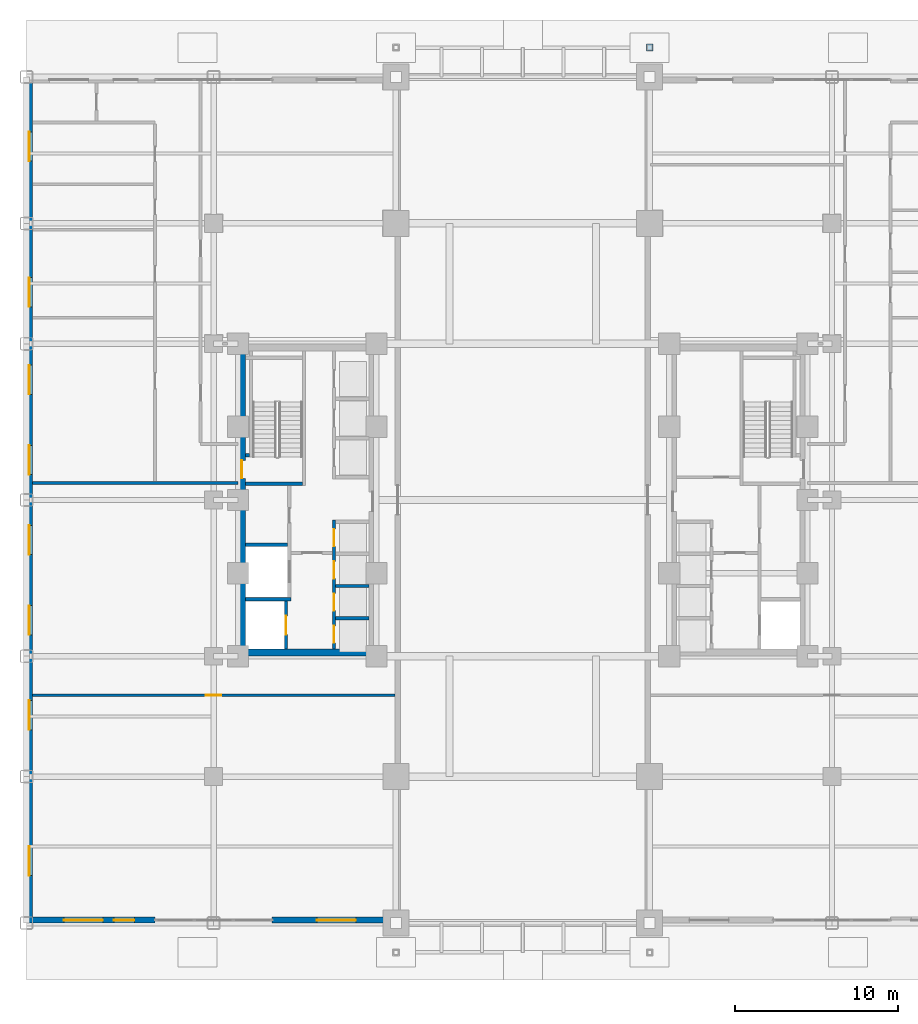
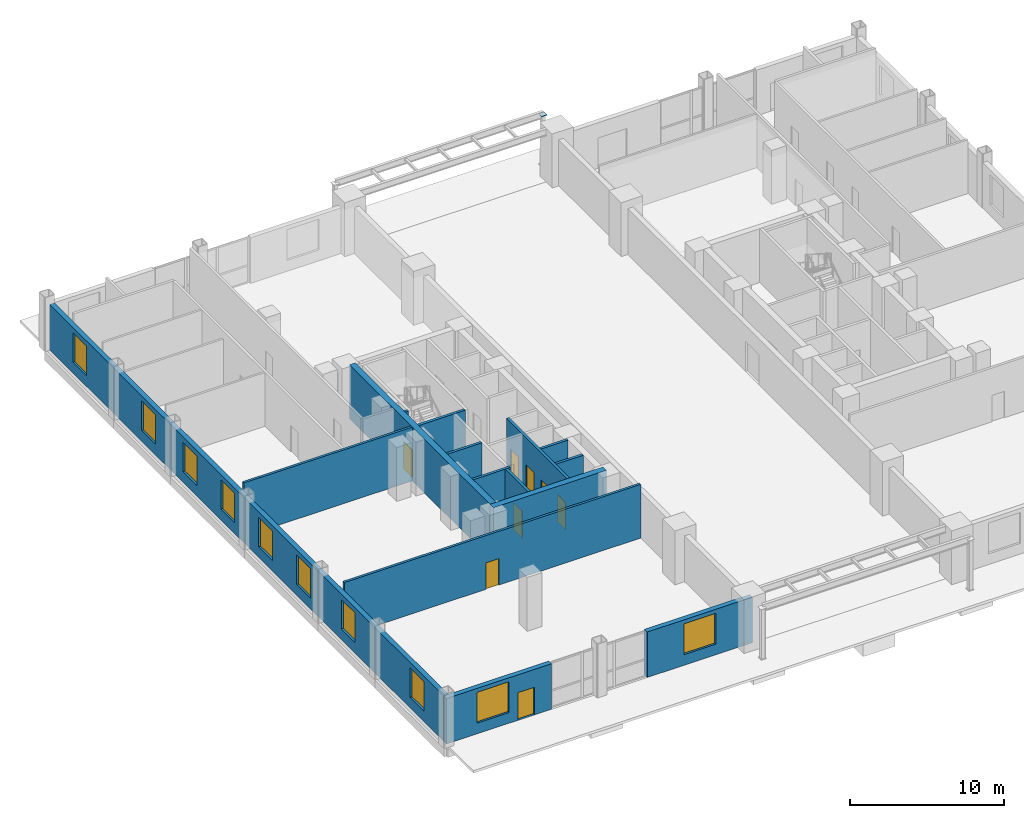
# One storey, part 8 of 20: 15 walls, 10 windows, 8 doors, 1 plate, 18 openings.
"""IFC4 building model written with IfcOpenShell, lengths in metres."""

import ifcopenshell
import ifcopenshell.guid

model = None  # the IFC model being written
_history = None  # IfcOwnerHistory: only IFC2X3 demands one
_inside = {}  # id of a spatial element -> (the spatial element, [elements in it])
_under = {}  # id of a project, library or spatial element -> (it, [spatial elements below it])
_declared = {}  # id of a project -> (the project, [libraries it declares])
_typed = {}  # id of a type object -> (the type object, [elements of that type])
_made_of = {}  # id of a material, layer set ... -> (it, [elements and type objects made of it])


def new_model(schema):
    """Start an empty IFC model of exactly this schema.

    Asked for "IFC4X3", IfcOpenShell would pick the latest addendum, in which some entities
    have other attributes; the version numbers below select the first issue.
    IFC2X3 requires an IfcOwnerHistory on every rooted entity: one is made here for all.
    """
    global model, _history
    if schema == "IFC4X3":
        model = ifcopenshell.file(schema_version=(4, 3, 0, 0))
    else:
        model = ifcopenshell.file(schema=schema)
    _inside.clear()
    _under.clear()
    _declared.clear()
    _typed.clear()
    _made_of.clear()
    _history = None
    if model.schema == "IFC2X3":
        org = make("IfcOrganization", Name="unknown")
        user = make(
            "IfcPersonAndOrganization",
            ThePerson=make("IfcPerson", FamilyName="unknown"),
            TheOrganization=org,
        )
        app = make(
            "IfcApplication",
            ApplicationDeveloper=org,
            Version="unknown",
            ApplicationFullName="unknown",
            ApplicationIdentifier="unknown",
        )
        _history = make(
            "IfcOwnerHistory",
            OwningUser=user,
            OwningApplication=app,
            ChangeAction="ADDED",
            CreationDate=0,
        )
    return model


def make(cls, **values):
    """One entity of the class cls with the attributes given. An attribute that is None is left unset."""
    return model.create_entity(
        cls, **{name: value for name, value in values.items() if value is not None}
    )


def rooted(cls, **values):
    """An entity with a GlobalId (a new one), such as an element, a storey or a relation."""
    return make(cls, GlobalId=ifcopenshell.guid.new(), OwnerHistory=_history, **values)


def si_unit(unit_type, name, prefix=None):
    """IfcSIUnit, for example si_unit("LENGTHUNIT", "METRE", prefix="MILLI")."""
    return make("IfcSIUnit", UnitType=unit_type, Prefix=prefix, Name=name)


def assignment(units):
    """IfcUnitAssignment: the units of a project."""
    return None if units is None else make("IfcUnitAssignment", Units=units)


def point(xyz):
    """IfcCartesianPoint."""
    return None if xyz is None else make("IfcCartesianPoint", Coordinates=xyz)


def direction(xyz):
    """IfcDirection."""
    return None if xyz is None else make("IfcDirection", DirectionRatios=xyz)


def frame(location, z_axis=None, x_axis=None):
    """IfcAxis2Placement3D, a coordinate frame: its origin and axes. An axis left out is left unset."""
    return make(
        "IfcAxis2Placement3D",
        Location=point(location),
        Axis=direction(z_axis),
        RefDirection=direction(x_axis),
    )


def frame_2d(location, x_axis=None):
    """IfcAxis2Placement2D, a coordinate frame in the plane: its origin and x axis."""
    return make(
        "IfcAxis2Placement2D", Location=point(location), RefDirection=direction(x_axis)
    )


def origin():
    """The frame at (0, 0, 0) with its axes left unset."""
    return frame((0.0, 0.0, 0.0))


def origin_2d():
    """The frame at (0, 0) in the plane with its x axis left unset."""
    return frame_2d((0.0, 0.0))


def place(relative_to, where):
    """IfcLocalPlacement: puts the frame where relative to a parent placement (None: the world)."""
    return make(
        "IfcLocalPlacement", PlacementRelTo=relative_to, RelativePlacement=where
    )


def context(
    kind, dimensions, precision=None, world=None, true_north=None, identifier=None
):
    """IfcGeometricRepresentationContext, for example the 3D "Model" context."""
    return make(
        "IfcGeometricRepresentationContext",
        ContextIdentifier=identifier,
        ContextType=kind,
        CoordinateSpaceDimension=dimensions,
        Precision=precision,
        WorldCoordinateSystem=world,
        TrueNorth=true_north,
    )


def subcontext(parent, identifier, kind, view, scale=None):
    """IfcGeometricRepresentationSubContext, for example "Body" below "Model"."""
    return make(
        "IfcGeometricRepresentationSubContext",
        ContextIdentifier=identifier,
        ContextType=kind,
        ParentContext=parent,
        TargetScale=scale,
        TargetView=view,
    )


def project(units=None, contexts=None):
    """IfcProject with its units and contexts."""
    return rooted(
        "IfcProject",
        Name="project",
        RepresentationContexts=contexts,
        UnitsInContext=assignment(units),
    )


def spatial(cls, under=None, at=None, **own):
    """A site, building, storey or space (cls), placed at a placement, below another one or the project."""
    s = rooted(cls, ObjectPlacement=at, **own)
    if under is not None:
        _under.setdefault(under.id(), (under, []))[1].append(s)
    return s


def profile(cls, at=None, kind="AREA", **sizes):
    """A parametric profile (cls). Its sizes go by their IFC names, for example OverallWidth=200.0."""
    return make(cls, ProfileType=kind, Position=at, **sizes)


def rectangle(**sizes):
    """IfcRectangleProfileDef."""
    return profile("IfcRectangleProfileDef", **sizes)


def extrude(swept, where, along, depth):
    """IfcExtrudedAreaSolid: the profile swept, set in the frame where, extruded along a direction by depth."""
    return make(
        "IfcExtrudedAreaSolid",
        SweptArea=swept,
        Position=where,
        ExtrudedDirection=direction(along),
        Depth=depth,
    )


def shape(context_of_items, identifier, shape_type, items):
    """IfcShapeRepresentation: the items that make up one representation, for example the "Body"."""
    return make(
        "IfcShapeRepresentation",
        ContextOfItems=context_of_items,
        RepresentationIdentifier=identifier,
        RepresentationType=shape_type,
        Items=items,
    )


def source(mapping_origin, context_of_items, identifier, shape_type, items):
    """IfcRepresentationMap: a shape defined once, which mapped items show again and again."""
    return make(
        "IfcRepresentationMap",
        MappingOrigin=mapping_origin,
        MappedRepresentation=shape(context_of_items, identifier, shape_type, items),
    )


def transform(
    local_origin,
    x_axis=None,
    y_axis=None,
    z_axis=None,
    scale=None,
    scale2=None,
    scale3=None,
    uniform=True,
):
    """IfcCartesianTransformationOperator3D, or its non-uniform kind. x_axis, y_axis, z_axis: its Axis1, 2, 3."""
    if uniform:
        return make(
            "IfcCartesianTransformationOperator3D",
            Axis1=direction(x_axis),
            Axis2=direction(y_axis),
            LocalOrigin=point(local_origin),
            Scale=scale,
            Axis3=direction(z_axis),
        )
    return make(
        "IfcCartesianTransformationOperator3DnonUniform",
        Axis1=direction(x_axis),
        Axis2=direction(y_axis),
        LocalOrigin=point(local_origin),
        Scale=scale,
        Axis3=direction(z_axis),
        Scale2=scale2,
        Scale3=scale3,
    )


def mapped(mapping_source, mapping_target):
    """IfcMappedItem: shows the shape of a source again, moved by a transform."""
    return make(
        "IfcMappedItem", MappingSource=mapping_source, MappingTarget=mapping_target
    )


def material(Name=None, Category=None):
    """IfcMaterial."""
    return make("IfcMaterial", Name=Name, Category=Category)


def layer(
    of_material, thickness, ventilated=None, Name=None, Category=None, Priority=None
):
    """IfcMaterialLayer: one layer of a wall or slab, of a material (None: an air gap)."""
    return make(
        "IfcMaterialLayer",
        Material=of_material,
        LayerThickness=thickness,
        IsVentilated=ventilated,
        Name=Name,
        Category=Category,
        Priority=Priority,
    )


def layer_set(layers, Name=None):
    """IfcMaterialLayerSet."""
    return make("IfcMaterialLayerSet", MaterialLayers=layers, LayerSetName=Name)


def made_of(thing, what):
    """Note that an element or type object is made of a material, layer set ...; save() writes the relation."""
    if what is not None:
        _made_of.setdefault(what.id(), (what, []))[1].append(thing)
    return thing


def type_object(cls, material=None, **own):
    """A type object (cls), such as IfcWallType, which elements share."""
    return made_of(rooted(cls, **own), material)


def type_shapes(of_type, sources):
    """Give a type object the sources (RepresentationMaps) that its elements show as mapped items."""
    of_type.RepresentationMaps = sources


def element(
    cls,
    number,
    at=None,
    inside=None,
    cuts=None,
    type_object=None,
    material=None,
    context=None,
    identifier="Body",
    shape_type=None,
    held_by="IfcProductDefinitionShape",
    body=None,
    shapes=None,
    **own,
):
    """One element of the class cls, such as IfcWall. Its Tag is "e" and its number.

    at: its placement. inside: the storey or other place that contains it. cuts: it is an
    opening in that element (IfcRelVoidsElement). A single representation is given by context,
    identifier, shape_type and body (its items); several are given by shapes. held_by: the class
    of the entity that holds the representations. save() writes the other relations.
    """
    e = rooted(cls, Tag="e%d" % number, ObjectPlacement=at, **own)
    if body is not None:
        shapes = [shape(context, identifier, shape_type, body)]
    if shapes is not None:
        e.Representation = make(held_by, Representations=shapes)
    if inside is not None:
        _inside.setdefault(inside.id(), (inside, []))[1].append(e)
    if cuts is not None:
        rooted(
            "IfcRelVoidsElement", RelatingBuildingElement=cuts, RelatedOpeningElement=e
        )
    if type_object is not None:
        _typed.setdefault(type_object.id(), (type_object, []))[1].append(e)
    return made_of(e, material)


def fill(opening, filler):
    """IfcRelFillsElement: the door or window that sits in an opening."""
    return rooted(
        "IfcRelFillsElement",
        RelatingOpeningElement=opening,
        RelatedBuildingElement=filler,
    )


def aggregate(whole, parts):
    """IfcRelAggregates: a whole, such as a stair, and the parts it consists of."""
    return rooted("IfcRelAggregates", RelatingObject=whole, RelatedObjects=parts)


def save(model, path):
    """Write the relations noted so far, then the file.

    IfcRelAggregates (storeys below a building ...), IfcRelContainedInSpatialStructure (elements
    in a storey), IfcRelDefinesByType, IfcRelAssociatesMaterial and IfcRelDeclares: one each for
    every whole, place, type object, material and project.
    """
    for whole, parts in _under.values():
        aggregate(whole, parts)
    for where, things in _inside.values():
        rooted(
            "IfcRelContainedInSpatialStructure",
            RelatedElements=things,
            RelatingStructure=where,
        )
    for kind, things in _typed.values():
        rooted("IfcRelDefinesByType", RelatedObjects=things, RelatingType=kind)
    for what, things in _made_of.values():
        rooted("IfcRelAssociatesMaterial", RelatedObjects=things, RelatingMaterial=what)
    for by, libraries in _declared.values():
        rooted("IfcRelDeclares", RelatingContext=by, RelatedDefinitions=libraries)
    model.write(path)


model = new_model("IFC4")

# Units and contexts
model_context = context("Model", 3, precision=1e-05, world=origin(), true_north=direction((0.0, 1.0)))
body_context = subcontext(model_context, "Body", "Model", "MODEL_VIEW")
ifc_project = project(units=[si_unit("LENGTHUNIT", "METRE"), si_unit("AREAUNIT", "SQUARE_METRE"), si_unit("VOLUMEUNIT", "CUBIC_METRE"), si_unit("PLANEANGLEUNIT", "RADIAN"), si_unit("MASSUNIT", "GRAM", prefix="KILO")], contexts=[model_context])

# Site, building, storey
site_placement = place(None, origin())
site = spatial("IfcSite", under=ifc_project, at=site_placement, CompositionType="ELEMENT")
building_placement = place(site_placement, origin())
building = spatial("IfcBuilding", under=site, at=building_placement, Name="Nuvemarco Arch Tower", CompositionType="ELEMENT")
storey_placement = place(building_placement, origin())
storey = spatial("IfcBuildingStorey", under=building, at=storey_placement, Name="L00", CompositionType="ELEMENT", Elevation=0.0)

# Plate
ifc_material_1 = material(Name="Steel S355", Category="steel")
ifc_layer_1 = layer(ifc_material_1, 0.030029296875, Name="PL-CAP-400-EXT")
ifc_layer_set_1 = layer_set([ifc_layer_1], Name="Steel S355")
plate_type = type_object("IfcPlateType", Name="PL-CAP-400-EXT", PredefinedType="SHEET", material=ifc_layer_set_1)
shared_shape_1 = source(origin(), body_context, "Body", "SweptSolid", [
    extrude(rectangle(XDim=0.419921875, YDim=0.419921875, at=origin_2d()), origin(), (0.0, 0.0, 1.0), 0.030029296875),
])
type_shapes(plate_type, [shared_shape_1])
plate_placement = place(storey_placement, frame((7.800048828125, 27.800048828125, 3.98486328125), z_axis=(0.0, 0.0, 1.0), x_axis=(1.0, 0.0, 0.0)))
element("IfcPlate", 1, at=plate_placement, inside=storey, type_object=plate_type, Name="Hollow steel end-cap plate COL_CNP_N_E_TOP", PredefinedType="SHEET", context=body_context, shape_type="MappedRepresentation", body=[
    mapped(shared_shape_1, transform((0.0, 0.0, 0.0), scale=1.0)),
])

# Wall, openings, door, window
ifc_material_2 = material(Name="Precast concrete C45/55", Category="concrete")
ifc_layer_2 = layer(ifc_material_2, 0.360107421875, Name="EW-POD-360")
ifc_layer_set_2 = layer_set([ifc_layer_2], Name="Precast concrete C45/55")
wall_type_1 = type_object("IfcWallType", Name="EW-POD-360", PredefinedType="STANDARD", material=ifc_layer_set_2)
wall_1_placement = place(storey_placement, frame((-30.5, -25.820068359375, 0.0), z_axis=(0.0, 0.0, 1.0), x_axis=(1.0, 0.0, 0.0)))
wall_1 = element("IfcWall", 2, at=wall_1_placement, inside=storey, type_object=wall_type_1, Name="L00 exterior precast pier wall south left", PredefinedType="STANDARD", context=body_context, shape_type="SweptSolid", body=[
    extrude(rectangle(XDim=7.89990234375, YDim=0.360107421875, at=frame_2d((3.949951171875, 0.0))), origin(), (0.0, 0.0, 1.0), 3.614990234375),
])
opening_1_placement = place(wall_1_placement, frame((6.625, 0.0, 0.0), z_axis=(0.0, 0.0, 1.0), x_axis=(-1.0, 0.0, 0.0)))
opening_1 = element("IfcOpeningElement", 3, at=opening_1_placement, cuts=wall_1, Name="Opening ED-3", PredefinedType="OPENING", context=body_context, shape_type="SweptSolid", body=[
    extrude(rectangle(XDim=1.25, YDim=2.199951171875, at=frame_2d((0.625, 1.10009765625))), frame((0.0, 0.18994140625, 0.0), z_axis=(0.0, -1.0, 0.0), x_axis=(1.0, 0.0, 0.0)), (0.0, 0.0, 1.0), 0.380126953125),
])
opening_2_placement = place(wall_1_placement, frame((2.300048828125, 0.0, 0.85009765625)))
opening_2 = element("IfcOpeningElement", 4, at=opening_2_placement, cuts=wall_1, Name="Opening WN-1", PredefinedType="OPENING", context=body_context, shape_type="SweptSolid", body=[
    extrude(rectangle(XDim=2.39990234375, YDim=2.449951171875, at=frame_2d((1.199951171875, 1.22509765625))), frame((0.0, 0.18994140625, 0.0), z_axis=(0.0, -1.0, 0.0), x_axis=(1.0, 0.0, 0.0)), (0.0, 0.0, 1.0), 0.380126953125),
])
ifc_material_3 = material(Name="Anodised bronze and laminated glass", Category="glass")
door_type_1 = type_object("IfcDoorType", Name="DR-EXT-RETAIL", OperationType="NOTDEFINED", PredefinedType="DOOR", material=ifc_material_3)
shared_shape_2 = source(origin(), body_context, "Body", "SweptSolid", [
    extrude(rectangle(XDim=1.25, YDim=2.199951171875, at=frame_2d((0.625, 1.10009765625))), frame((0.0, 0.02490234375, 0.0), z_axis=(0.0, -1.0, 0.0), x_axis=(1.0, 0.0, 0.0)), (0.0, 0.0, 1.0), 0.050048828125),
])
type_shapes(door_type_1, [shared_shape_2])
door_1_placement = place(opening_1_placement, origin())
door_1 = element("IfcDoor", 5, at=door_1_placement, inside=storey, type_object=door_type_1, Name="Ground plaza retail entrance door 1", OperationType="SINGLE_SWING_LEFT", OverallHeight=2.199951171875, OverallWidth=1.25, PredefinedType="DOOR", context=body_context, shape_type="MappedRepresentation", body=[
    mapped(shared_shape_2, transform((0.0, 0.0, 0.0), scale=1.0)),
])
fill(opening_1, door_1)
ifc_material_4 = material(Name="Insulated solar-control glass", Category="glass")
window_type_1 = type_object("IfcWindowType", Name="WN-POD-2400x2450", PartitioningType="DOUBLE_PANEL_VERTICAL", PredefinedType="WINDOW", material=ifc_material_4)
shared_shape_3 = source(origin(), body_context, "Body", "SweptSolid", [
    extrude(rectangle(XDim=2.39990234375, YDim=2.449951171875, at=frame_2d((1.199951171875, 1.22509765625))), frame((0.0, 0.030029296875, 0.0), z_axis=(0.0, -1.0, 0.0), x_axis=(1.0, 0.0, 0.0)), (0.0, 0.0, 1.0), 0.06005859375),
])
type_shapes(window_type_1, [shared_shape_3])
window_1_placement = place(opening_2_placement, origin())
window_1 = element("IfcWindow", 6, at=window_1_placement, inside=storey, type_object=window_type_1, Name="L00 punched facade window 1", OverallHeight=2.449951171875, OverallWidth=2.39990234375, PartitioningType="SINGLE_PANEL", PredefinedType="WINDOW", context=body_context, shape_type="MappedRepresentation", body=[
    mapped(shared_shape_3, transform((0.0, 0.0, 0.0), scale=1.0)),
])
fill(opening_2, window_1)

# Wall, opening, window
wall_2_placement = place(storey_placement, frame((-15.39990234375, -25.820068359375, 0.0), z_axis=(0.0, 0.0, 1.0), x_axis=(1.0, 0.0, 0.0)))
wall_2 = element("IfcWall", 7, at=wall_2_placement, inside=storey, type_object=wall_type_1, Name="L00 exterior precast pier wall south right", PredefinedType="STANDARD", context=body_context, shape_type="SweptSolid", body=[
    extrude(rectangle(XDim=7.89990234375, YDim=0.360107421875, at=frame_2d((3.949951171875, 0.0))), origin(), (0.0, 0.0, 1.0), 3.614990234375),
])
opening_3_placement = place(wall_2_placement, frame((2.75, 0.0, 0.85009765625)))
opening_3 = element("IfcOpeningElement", 8, at=opening_3_placement, cuts=wall_2, Name="Opening WN-1", PredefinedType="OPENING", context=body_context, shape_type="SweptSolid", body=[
    extrude(rectangle(XDim=2.39990234375, YDim=2.449951171875, at=frame_2d((1.199951171875, 1.22509765625))), frame((0.0, 0.18994140625, 0.0), z_axis=(0.0, -1.0, 0.0), x_axis=(1.0, 0.0, 0.0)), (0.0, 0.0, 1.0), 0.380126953125),
])
window_2_placement = place(opening_3_placement, origin())
window_2 = element("IfcWindow", 9, at=window_2_placement, inside=storey, type_object=window_type_1, Name="L00 punched facade window 1", OverallHeight=2.449951171875, OverallWidth=2.39990234375, PartitioningType="SINGLE_PANEL", PredefinedType="WINDOW", context=body_context, shape_type="MappedRepresentation", body=[
    mapped(shared_shape_3, transform((0.0, 0.0, 0.0), scale=1.0)),
])
fill(opening_3, window_2)

# Wall, openings, windows
wall_3_placement = place(storey_placement, frame((-30.320068359375, -25.64404296875, 0.0), z_axis=(0.0, 0.0, 1.0), x_axis=(0.0, 1.0, 0.0)))
wall_3 = element("IfcWall", 10, at=wall_3_placement, inside=storey, type_object=wall_type_1, Name="L00 exterior precast facade wall 4", PredefinedType="STANDARD", context=body_context, shape_type="SweptSolid", body=[
    extrude(rectangle(XDim=51.2880859375, YDim=0.360107421875, at=frame_2d((25.64404296875, 0.0))), origin(), (0.0, 0.0, 1.0), 3.614990234375),
])
opening_4_placement = place(wall_3_placement, frame((2.564453125, 0.0, 0.85009765625)))
opening_4 = element("IfcOpeningElement", 11, at=opening_4_placement, cuts=wall_3, Name="Opening WN-2", PredefinedType="OPENING", context=body_context, shape_type="SweptSolid", body=[
    extrude(rectangle(XDim=1.800048828125, YDim=2.35009765625, at=frame_2d((0.89990234375, 1.175048828125))), frame((0.0, 0.18994140625, 0.0), z_axis=(0.0, -1.0, 0.0), x_axis=(1.0, 0.0, 0.0)), (0.0, 0.0, 1.0), 0.380126953125),
])
opening_5_placement = place(wall_3_placement, frame((11.52197265625, 0.0, 0.85009765625)))
opening_5 = element("IfcOpeningElement", 12, at=opening_5_placement, cuts=wall_3, Name="Opening WN-2", PredefinedType="OPENING", context=body_context, shape_type="SweptSolid", body=[
    extrude(rectangle(XDim=1.800048828125, YDim=2.35009765625, at=frame_2d((0.89990234375, 1.175048828125))), frame((0.0, 0.18994140625, 0.0), z_axis=(0.0, -1.0, 0.0), x_axis=(1.0, 0.0, 0.0)), (0.0, 0.0, 1.0), 0.380126953125),
])
opening_6_placement = place(wall_3_placement, frame((17.350830078125, 0.0, 0.85009765625)))
opening_6 = element("IfcOpeningElement", 13, at=opening_6_placement, cuts=wall_3, Name="Opening WN-2", PredefinedType="OPENING", context=body_context, shape_type="SweptSolid", body=[
    extrude(rectangle(XDim=1.800048828125, YDim=2.35009765625, at=frame_2d((0.89990234375, 1.175048828125))), frame((0.0, 0.18994140625, 0.0), z_axis=(0.0, -1.0, 0.0), x_axis=(1.0, 0.0, 0.0)), (0.0, 0.0, 1.0), 0.380126953125),
])
opening_7_placement = place(wall_3_placement, frame((22.279541015625, 0.0, 0.85009765625)))
opening_7 = element("IfcOpeningElement", 14, at=opening_7_placement, cuts=wall_3, Name="Opening WN-2", PredefinedType="OPENING", context=body_context, shape_type="SweptSolid", body=[
    extrude(rectangle(XDim=1.800048828125, YDim=2.35009765625, at=frame_2d((0.89990234375, 1.175048828125))), frame((0.0, 0.18994140625, 0.0), z_axis=(0.0, -1.0, 0.0), x_axis=(1.0, 0.0, 0.0)), (0.0, 0.0, 1.0), 0.380126953125),
])
opening_8_placement = place(wall_3_placement, frame((27.20849609375, 0.0, 0.85009765625)))
opening_8 = element("IfcOpeningElement", 15, at=opening_8_placement, cuts=wall_3, Name="Opening WN-2", PredefinedType="OPENING", context=body_context, shape_type="SweptSolid", body=[
    extrude(rectangle(XDim=1.800048828125, YDim=2.35009765625, at=frame_2d((0.89990234375, 1.175048828125))), frame((0.0, 0.18994140625, 0.0), z_axis=(0.0, -1.0, 0.0), x_axis=(1.0, 0.0, 0.0)), (0.0, 0.0, 1.0), 0.380126953125),
])
opening_9_placement = place(wall_3_placement, frame((32.13720703125, 0.0, 0.85009765625)))
opening_9 = element("IfcOpeningElement", 16, at=opening_9_placement, cuts=wall_3, Name="Opening WN-2", PredefinedType="OPENING", context=body_context, shape_type="SweptSolid", body=[
    extrude(rectangle(XDim=1.800048828125, YDim=2.35009765625, at=frame_2d((0.89990234375, 1.175048828125))), frame((0.0, 0.18994140625, 0.0), z_axis=(0.0, -1.0, 0.0), x_axis=(1.0, 0.0, 0.0)), (0.0, 0.0, 1.0), 0.380126953125),
])
opening_10_placement = place(wall_3_placement, frame((37.51611328125, 0.0, 0.85009765625)))
opening_10 = element("IfcOpeningElement", 17, at=opening_10_placement, cuts=wall_3, Name="Opening WN-2", PredefinedType="OPENING", context=body_context, shape_type="SweptSolid", body=[
    extrude(rectangle(XDim=1.800048828125, YDim=2.35009765625, at=frame_2d((0.89990234375, 1.175048828125))), frame((0.0, 0.18994140625, 0.0), z_axis=(0.0, -1.0, 0.0), x_axis=(1.0, 0.0, 0.0)), (0.0, 0.0, 1.0), 0.380126953125),
])
opening_11_placement = place(wall_3_placement, frame((46.4736328125, 0.0, 0.85009765625)))
opening_11 = element("IfcOpeningElement", 18, at=opening_11_placement, cuts=wall_3, Name="Opening WN-2", PredefinedType="OPENING", context=body_context, shape_type="SweptSolid", body=[
    extrude(rectangle(XDim=1.800048828125, YDim=2.35009765625, at=frame_2d((0.89990234375, 1.175048828125))), frame((0.0, 0.18994140625, 0.0), z_axis=(0.0, -1.0, 0.0), x_axis=(1.0, 0.0, 0.0)), (0.0, 0.0, 1.0), 0.380126953125),
])
window_type_2 = type_object("IfcWindowType", Name="WN-POD-1800x2350", PartitioningType="DOUBLE_PANEL_VERTICAL", PredefinedType="WINDOW", material=ifc_material_4)
shared_shape_4 = source(origin(), body_context, "Body", "SweptSolid", [
    extrude(rectangle(XDim=1.800048828125, YDim=2.35009765625, at=frame_2d((0.89990234375, 1.175048828125))), frame((0.0, 0.030029296875, 0.0), z_axis=(0.0, -1.0, 0.0), x_axis=(1.0, 0.0, 0.0)), (0.0, 0.0, 1.0), 0.06005859375),
])
type_shapes(window_type_2, [shared_shape_4])
window_3_placement = place(opening_4_placement, origin())
window_3 = element("IfcWindow", 19, at=window_3_placement, inside=storey, type_object=window_type_2, Name="L00 punched facade window 1", OverallHeight=2.35009765625, OverallWidth=1.800048828125, PartitioningType="SINGLE_PANEL", PredefinedType="WINDOW", context=body_context, shape_type="MappedRepresentation", body=[
    mapped(shared_shape_4, transform((0.0, 0.0, 0.0), scale=1.0)),
])
fill(opening_4, window_3)
window_4_placement = place(opening_5_placement, origin())
window_4 = element("IfcWindow", 20, at=window_4_placement, inside=storey, type_object=window_type_2, Name="L00 punched facade window 3", OverallHeight=2.35009765625, OverallWidth=1.800048828125, PartitioningType="SINGLE_PANEL", PredefinedType="WINDOW", context=body_context, shape_type="MappedRepresentation", body=[
    mapped(shared_shape_4, transform((0.0, 0.0, 0.0), scale=1.0)),
])
fill(opening_5, window_4)
window_5_placement = place(opening_6_placement, origin())
window_5 = element("IfcWindow", 21, at=window_5_placement, inside=storey, type_object=window_type_2, Name="L00 punched facade window 4", OverallHeight=2.35009765625, OverallWidth=1.800048828125, PartitioningType="SINGLE_PANEL", PredefinedType="WINDOW", context=body_context, shape_type="MappedRepresentation", body=[
    mapped(shared_shape_4, transform((0.0, 0.0, 0.0), scale=1.0)),
])
fill(opening_6, window_5)
window_6_placement = place(opening_7_placement, origin())
window_6 = element("IfcWindow", 22, at=window_6_placement, inside=storey, type_object=window_type_2, Name="L00 punched facade window 5", OverallHeight=2.35009765625, OverallWidth=1.800048828125, PartitioningType="SINGLE_PANEL", PredefinedType="WINDOW", context=body_context, shape_type="MappedRepresentation", body=[
    mapped(shared_shape_4, transform((0.0, 0.0, 0.0), scale=1.0)),
])
fill(opening_7, window_6)
window_7_placement = place(opening_8_placement, origin())
window_7 = element("IfcWindow", 23, at=window_7_placement, inside=storey, type_object=window_type_2, Name="L00 punched facade window 6", OverallHeight=2.35009765625, OverallWidth=1.800048828125, PartitioningType="SINGLE_PANEL", PredefinedType="WINDOW", context=body_context, shape_type="MappedRepresentation", body=[
    mapped(shared_shape_4, transform((0.0, 0.0, 0.0), scale=1.0)),
])
fill(opening_8, window_7)
window_8_placement = place(opening_9_placement, origin())
window_8 = element("IfcWindow", 24, at=window_8_placement, inside=storey, type_object=window_type_2, Name="L00 punched facade window 7", OverallHeight=2.35009765625, OverallWidth=1.800048828125, PartitioningType="SINGLE_PANEL", PredefinedType="WINDOW", context=body_context, shape_type="MappedRepresentation", body=[
    mapped(shared_shape_4, transform((0.0, 0.0, 0.0), scale=1.0)),
])
fill(opening_9, window_8)
window_9_placement = place(opening_10_placement, origin())
window_9 = element("IfcWindow", 25, at=window_9_placement, inside=storey, type_object=window_type_2, Name="L00 punched facade window 8", OverallHeight=2.35009765625, OverallWidth=1.800048828125, PartitioningType="SINGLE_PANEL", PredefinedType="WINDOW", context=body_context, shape_type="MappedRepresentation", body=[
    mapped(shared_shape_4, transform((0.0, 0.0, 0.0), scale=1.0)),
])
fill(opening_10, window_9)
window_10_placement = place(opening_11_placement, origin())
window_10 = element("IfcWindow", 26, at=window_10_placement, inside=storey, type_object=window_type_2, Name="L00 punched facade window 10", OverallHeight=2.35009765625, OverallWidth=1.800048828125, PartitioningType="SINGLE_PANEL", PredefinedType="WINDOW", context=body_context, shape_type="MappedRepresentation", body=[
    mapped(shared_shape_4, transform((0.0, 0.0, 0.0), scale=1.0)),
])
fill(opening_11, window_10)

# Wall
ifc_material_5 = material(Name="Concrete C60/75", Category="concrete")
ifc_layer_3 = layer(ifc_material_5, 0.449951171875, Name="WL-CORE-450")
ifc_layer_set_3 = layer_set([ifc_layer_3], Name="Concrete C60/75")
wall_type_2 = type_object("IfcWallType", Name="WL-CORE-450", PredefinedType="SHEAR", material=ifc_layer_set_3)
wall_4_placement = place(storey_placement, frame((-17.5, -9.375, 0.0), z_axis=(0.0, 0.0, 1.0), x_axis=(1.0, 0.0, 0.0)))
element("IfcWall", 27, at=wall_4_placement, inside=storey, type_object=wall_type_2, Name="L00 W-core shear wall S", PredefinedType="SHEAR", context=body_context, shape_type="SweptSolid", body=[
    extrude(rectangle(XDim=8.5, YDim=0.449951171875, at=frame_2d((4.25, 0.0))), origin(), (0.0, 0.0, 1.0), 4.280029296875),
])

# Wall, opening, door
wall_5_placement = place(storey_placement, frame((-17.27490234375, -9.155029296875, 0.0), z_axis=(0.0, 0.0, 1.0), x_axis=(0.0, 1.0, 0.0)))
wall_5 = element("IfcWall", 28, at=wall_5_placement, inside=storey, type_object=wall_type_2, Name="L00 W-core shear wall W", PredefinedType="SHEAR", context=body_context, shape_type="SweptSolid", body=[
    extrude(rectangle(XDim=18.31005859375, YDim=0.449951171875, at=frame_2d((9.155029296875, 0.0))), origin(), (0.0, 0.0, 1.0), 4.280029296875),
])
opening_12_placement = place(wall_5_placement, frame((10.485107421875, 0.0, 0.0)))
opening_12 = element("IfcOpeningElement", 29, at=opening_12_placement, cuts=wall_5, Name="Opening FD-1", PredefinedType="OPENING", context=body_context, shape_type="SweptSolid", body=[
    extrude(rectangle(XDim=1.10009765625, YDim=2.14990234375, at=frame_2d((0.550048828125, 1.074951171875))), frame((0.0, 0.23486328125, 0.0), z_axis=(0.0, -1.0, 0.0), x_axis=(1.0, 0.0, 0.0)), (0.0, 0.0, 1.0), 0.469970703125),
])
ifc_material_6 = material(Name="Anodised steel fire door", Category="steel")
door_type_2 = type_object("IfcDoorType", Name="DR-STAIR-FD", OperationType="NOTDEFINED", PredefinedType="DOOR", material=ifc_material_6)
shared_shape_5 = source(origin(), body_context, "Body", "SweptSolid", [
    extrude(rectangle(XDim=1.10009765625, YDim=2.14990234375, at=frame_2d((0.550048828125, 1.074951171875))), frame((0.0, 0.02490234375, 0.0), z_axis=(0.0, -1.0, 0.0), x_axis=(1.0, 0.0, 0.0)), (0.0, 0.0, 1.0), 0.050048828125),
])
type_shapes(door_type_2, [shared_shape_5])
door_2_placement = place(opening_12_placement, origin())
door_2 = element("IfcDoor", 30, at=door_2_placement, inside=storey, type_object=door_type_2, Name="L00 door FD-L00-ST1", OperationType="SINGLE_SWING_RIGHT", OverallHeight=2.14990234375, OverallWidth=1.10009765625, PredefinedType="DOOR", context=body_context, shape_type="MappedRepresentation", body=[
    mapped(shared_shape_5, transform((0.0, 0.0, 0.0), scale=1.0)),
])
fill(opening_12, door_2)

ifc_material_7 = material(Name="Fire-rated gypsum drywall partition")
ifc_layer_4 = layer(ifc_material_7, 0.179931640625, Name="WL-CORR-180")
ifc_layer_set_4 = layer_set([ifc_layer_4], Name="Fire-rated gypsum drywall partition")
wall_type_3 = type_object("IfcWallType", Name="WL-CORR-180", PredefinedType="PARTITIONING", material=ifc_layer_set_4)
wall_6_placement = place(storey_placement, frame((-30.139892578125, -12.0, 0.0), z_axis=(0.0, 0.0, 1.0), x_axis=(1.0, 0.0, 0.0)))
wall_6 = element("IfcWall", 31, at=wall_6_placement, inside=storey, type_object=wall_type_3, Name="L00 interior wall IW-L00-001", PredefinedType="PARTITIONING", context=body_context, shape_type="SweptSolid", body=[
    extrude(rectangle(XDim=22.27978515625, YDim=0.179931640625, at=frame_2d((11.139892578125, 0.0))), origin(), (0.0, 0.0, 1.0), 4.27001953125),
])
opening_13_placement = place(wall_6_placement, frame((10.659912109375, 0.0, 0.0)))
opening_13 = element("IfcOpeningElement", 32, at=opening_13_placement, cuts=wall_6, Name="Opening FD-5", PredefinedType="OPENING", context=body_context, shape_type="SweptSolid", body=[
    extrude(rectangle(XDim=0.9599609375, YDim=2.10009765625, at=frame_2d((0.47998046875, 1.050048828125))), frame((0.0, 0.099853515625, 0.0), z_axis=(0.0, -1.0, 0.0), x_axis=(1.0, 0.0, 0.0)), (0.0, 0.0, 1.0), 0.199951171875),
])
ifc_material_8 = material(Name="Timber fire door", Category="wood")
door_type_3 = type_object("IfcDoorType", Name="DR-CORR-FD", OperationType="NOTDEFINED", PredefinedType="DOOR", material=ifc_material_8)
shared_shape_6 = source(origin(), body_context, "Body", "SweptSolid", [
    extrude(rectangle(XDim=0.9599609375, YDim=2.10009765625, at=frame_2d((0.47998046875, 1.050048828125))), frame((0.0, 0.02490234375, 0.0), z_axis=(0.0, -1.0, 0.0), x_axis=(1.0, 0.0, 0.0)), (0.0, 0.0, 1.0), 0.050048828125),
])
type_shapes(door_type_3, [shared_shape_6])
door_3_placement = place(opening_13_placement, origin())
door_3 = element("IfcDoor", 33, at=door_3_placement, inside=storey, type_object=door_type_3, Name="L00 door DR-L00-L00_WCAFE", OperationType="SINGLE_SWING_LEFT", OverallHeight=2.10009765625, OverallWidth=0.9599609375, PredefinedType="DOOR", context=body_context, shape_type="MappedRepresentation", body=[
    mapped(shared_shape_6, transform((0.0, 0.0, 0.0), scale=1.0)),
])
fill(opening_13, door_3)

# Walls
wall_7_placement = place(storey_placement, frame((-30.139892578125, 1.050048828125, 0.0), z_axis=(0.0, 0.0, 1.0), x_axis=(1.0, 0.0, 0.0)))
element("IfcWall", 34, at=wall_7_placement, inside=storey, type_object=wall_type_3, Name="L00 interior wall IW-L00-003", PredefinedType="PARTITIONING", context=body_context, shape_type="SweptSolid", body=[
    extrude(rectangle(XDim=12.639892578125, YDim=0.179931640625, at=frame_2d((6.31982421875, 0.0))), origin(), (0.0, 0.0, 1.0), 4.27001953125),
])
ifc_material_9 = material(Name="Concrete C50/60", Category="concrete")
ifc_layer_5 = layer(ifc_material_9, 0.199951171875, Name="WL-SHAFT-220")
ifc_layer_set_5 = layer_set([ifc_layer_5], Name="Concrete C50/60")
wall_type_4 = type_object("IfcWallType", Name="WL-SHAFT-220", PredefinedType="SHEAR", material=ifc_layer_set_5)
wall_8_placement = place(storey_placement, frame((-17.054931640625, 1.0, 0.0), z_axis=(0.0, 0.0, 1.0), x_axis=(1.0, 0.0, 0.0)))
element("IfcWall", 35, at=wall_8_placement, inside=storey, type_object=wall_type_4, Name="L00 structural shaft wall SW-L00-W-ST1S", PredefinedType="SHEAR", context=body_context, shape_type="SweptSolid", body=[
    extrude(rectangle(XDim=3.52001953125, YDim=0.199951171875, at=frame_2d((1.760009765625, 0.0))), origin(), (0.0, 0.0, 1.0), 4.280029296875),
])
wall_9_placement = place(storey_placement, frame((-17.054931640625, 2.75, 0.0), z_axis=(0.0, 0.0, 1.0), x_axis=(1.0, 0.0, 0.0)))
element("IfcWall", 36, at=wall_9_placement, inside=storey, type_object=wall_type_4, Name="L00 structural shaft wall SW-L00-W-ST1C", PredefinedType="SHEAR", context=body_context, shape_type="SweptSolid", body=[
    extrude(rectangle(XDim=0.260009765625, YDim=0.199951171875, at=frame_2d((0.1298828125, 0.0))), origin(), (0.0, 0.0, 1.0), 4.280029296875),
])

# Wall, opening, door
wall_10_placement = place(storey_placement, frame((-14.550048828125, -9.155029296875, 0.0), z_axis=(0.0, 0.0, 1.0), x_axis=(0.0, 1.0, 0.0)))
wall_10 = element("IfcWall", 37, at=wall_10_placement, inside=storey, type_object=wall_type_4, Name="L00 structural shaft wall SW-L00-W-SHE", PredefinedType="SHEAR", context=body_context, shape_type="SweptSolid", body=[
    extrude(rectangle(XDim=2.9599609375, YDim=0.199951171875, at=frame_2d((1.47998046875, 0.0))), origin(), (0.0, 0.0, 1.0), 4.280029296875),
])
opening_14_placement = place(wall_10_placement, frame((0.8798828125, 0.0, 0.0)))
opening_14 = element("IfcOpeningElement", 38, at=opening_14_placement, cuts=wall_10, Name="Opening LD-2", PredefinedType="OPENING", context=body_context, shape_type="SweptSolid", body=[
    extrude(rectangle(XDim=1.14990234375, YDim=2.14990234375, at=frame_2d((0.574951171875, 1.074951171875))), frame((0.0, 0.10986328125, 0.0), z_axis=(0.0, -1.0, 0.0), x_axis=(1.0, 0.0, 0.0)), (0.0, 0.0, 1.0), 0.219970703125),
])
ifc_material_10 = material(Name="Stainless steel lift door", Category="steel")
door_type_4 = type_object("IfcDoorType", Name="DR-LIFT-FIRE", OperationType="DOUBLE_DOOR_SLIDING", PredefinedType="DOOR", material=ifc_material_10)
shared_shape_7 = source(origin(), body_context, "Body", "SweptSolid", [
    extrude(rectangle(XDim=1.14990234375, YDim=2.14990234375, at=frame_2d((0.574951171875, 1.074951171875))), frame((0.0, 0.02490234375, 0.0), z_axis=(0.0, -1.0, 0.0), x_axis=(1.0, 0.0, 0.0)), (0.0, 0.0, 1.0), 0.050048828125),
])
type_shapes(door_type_4, [shared_shape_7])
door_4_placement = place(opening_14_placement, origin())
door_4 = element("IfcDoor", 39, at=door_4_placement, inside=storey, type_object=door_type_4, Name="L00 Lift landing sliding door FFL-1", OperationType="DOUBLE_DOOR_SLIDING", OverallHeight=2.14990234375, OverallWidth=1.14990234375, PredefinedType="DOOR", context=body_context, shape_type="MappedRepresentation", body=[
    mapped(shared_shape_7, transform((0.0, 0.0, 0.0), scale=1.0)),
])
fill(opening_14, door_4)

# Walls
wall_11_placement = place(storey_placement, frame((-17.054931640625, -6.10009765625, 0.0), z_axis=(0.0, 0.0, 1.0), x_axis=(1.0, 0.0, 0.0)))
element("IfcWall", 40, at=wall_11_placement, inside=storey, type_object=wall_type_4, Name="L00 structural shaft wall SW-L00-W-SH1", PredefinedType="SHEAR", context=body_context, shape_type="SweptSolid", body=[
    extrude(rectangle(XDim=2.804931640625, YDim=0.199951171875, at=frame_2d((1.40234375, 0.0))), origin(), (0.0, 0.0, 1.0), 4.280029296875),
])
wall_12_placement = place(storey_placement, frame((-17.054931640625, -2.75, 0.0), z_axis=(0.0, 0.0, 1.0), x_axis=(1.0, 0.0, 0.0)))
element("IfcWall", 41, at=wall_12_placement, inside=storey, type_object=wall_type_4, Name="L00 structural shaft wall SW-L00-W-SH2", PredefinedType="SHEAR", context=body_context, shape_type="SweptSolid", body=[
    extrude(rectangle(XDim=2.60986328125, YDim=0.199951171875, at=frame_2d((1.304931640625, 0.0))), origin(), (0.0, 0.0, 1.0), 4.280029296875),
])

# Wall, openings, doors
wall_13_placement = place(storey_placement, frame((-11.60009765625, -9.155029296875, 0.0), z_axis=(0.0, 0.0, 1.0), x_axis=(0.0, 1.0, 0.0)))
wall_13 = element("IfcWall", 42, at=wall_13_placement, inside=storey, type_object=wall_type_4, Name="L00 structural shaft wall SW-L00-W-PLW", PredefinedType="SHEAR", context=body_context, shape_type="SweptSolid", body=[
    extrude(rectangle(XDim=7.925048828125, YDim=0.199951171875, at=frame_2d((3.96240234375, 0.0))), origin(), (0.0, 0.0, 1.0), 4.280029296875),
])
opening_15_placement = place(wall_13_placement, frame((0.3701171875, 0.0, 0.0)))
opening_15 = element("IfcOpeningElement", 43, at=opening_15_placement, cuts=wall_13, Name="Opening LD-1", PredefinedType="OPENING", context=body_context, shape_type="SweptSolid", body=[
    extrude(rectangle(XDim=1.050048828125, YDim=2.14990234375, at=frame_2d((0.52490234375, 1.074951171875))), frame((0.0, 0.10986328125, 0.0), z_axis=(0.0, -1.0, 0.0), x_axis=(1.0, 0.0, 0.0)), (0.0, 0.0, 1.0), 0.219970703125),
])
opening_16_placement = place(wall_13_placement, frame((2.35009765625, 0.0, 0.0)))
opening_16 = element("IfcOpeningElement", 44, at=opening_16_placement, cuts=wall_13, Name="Opening LD-1", PredefinedType="OPENING", context=body_context, shape_type="SweptSolid", body=[
    extrude(rectangle(XDim=1.050048828125, YDim=2.14990234375, at=frame_2d((0.52490234375, 1.074951171875))), frame((0.0, 0.10986328125, 0.0), z_axis=(0.0, -1.0, 0.0), x_axis=(1.0, 0.0, 0.0)), (0.0, 0.0, 1.0), 0.219970703125),
])
opening_17_placement = place(wall_13_placement, frame((4.330078125, 0.0, 0.0)))
opening_17 = element("IfcOpeningElement", 45, at=opening_17_placement, cuts=wall_13, Name="Opening LD-1", PredefinedType="OPENING", context=body_context, shape_type="SweptSolid", body=[
    extrude(rectangle(XDim=1.050048828125, YDim=2.14990234375, at=frame_2d((0.52490234375, 1.074951171875))), frame((0.0, 0.10986328125, 0.0), z_axis=(0.0, -1.0, 0.0), x_axis=(1.0, 0.0, 0.0)), (0.0, 0.0, 1.0), 0.219970703125),
])
opening_18_placement = place(wall_13_placement, frame((6.31005859375, 0.0, 0.0)))
opening_18 = element("IfcOpeningElement", 46, at=opening_18_placement, cuts=wall_13, Name="Opening LD-1", PredefinedType="OPENING", context=body_context, shape_type="SweptSolid", body=[
    extrude(rectangle(XDim=1.050048828125, YDim=2.14990234375, at=frame_2d((0.52490234375, 1.074951171875))), frame((0.0, 0.10986328125, 0.0), z_axis=(0.0, -1.0, 0.0), x_axis=(1.0, 0.0, 0.0)), (0.0, 0.0, 1.0), 0.219970703125),
])
door_type_5 = type_object("IfcDoorType", Name="DR-LIFT-PASS", OperationType="DOUBLE_DOOR_SLIDING", PredefinedType="DOOR", material=ifc_material_10)
shared_shape_8 = source(origin(), body_context, "Body", "SweptSolid", [
    extrude(rectangle(XDim=1.050048828125, YDim=2.14990234375, at=frame_2d((0.52490234375, 1.074951171875))), frame((0.0, 0.02490234375, 0.0), z_axis=(0.0, -1.0, 0.0), x_axis=(1.0, 0.0, 0.0)), (0.0, 0.0, 1.0), 0.050048828125),
])
type_shapes(door_type_5, [shared_shape_8])
door_5_placement = place(opening_15_placement, origin())
door_5 = element("IfcDoor", 47, at=door_5_placement, inside=storey, type_object=door_type_5, Name="L00 Lift landing sliding door PL-1", OperationType="DOUBLE_DOOR_SLIDING", OverallHeight=2.14990234375, OverallWidth=1.050048828125, PredefinedType="DOOR", context=body_context, shape_type="MappedRepresentation", body=[
    mapped(shared_shape_8, transform((0.0, 0.0, 0.0), scale=1.0)),
])
fill(opening_15, door_5)
door_6_placement = place(opening_16_placement, origin())
door_6 = element("IfcDoor", 48, at=door_6_placement, inside=storey, type_object=door_type_5, Name="L00 Lift landing sliding door PL-2", OperationType="DOUBLE_DOOR_SLIDING", OverallHeight=2.14990234375, OverallWidth=1.050048828125, PredefinedType="DOOR", context=body_context, shape_type="MappedRepresentation", body=[
    mapped(shared_shape_8, transform((0.0, 0.0, 0.0), scale=1.0)),
])
fill(opening_16, door_6)
door_7_placement = place(opening_17_placement, origin())
door_7 = element("IfcDoor", 49, at=door_7_placement, inside=storey, type_object=door_type_5, Name="L00 Lift landing sliding door PL-3", OperationType="DOUBLE_DOOR_SLIDING", OverallHeight=2.14990234375, OverallWidth=1.050048828125, PredefinedType="DOOR", context=body_context, shape_type="MappedRepresentation", body=[
    mapped(shared_shape_8, transform((0.0, 0.0, 0.0), scale=1.0)),
])
fill(opening_17, door_7)
door_8_placement = place(opening_18_placement, origin())
door_8 = element("IfcDoor", 50, at=door_8_placement, inside=storey, type_object=door_type_5, Name="L00 Lift landing sliding door PL-4", OperationType="DOUBLE_DOOR_SLIDING", OverallHeight=2.14990234375, OverallWidth=1.050048828125, PredefinedType="DOOR", context=body_context, shape_type="MappedRepresentation", body=[
    mapped(shared_shape_8, transform((0.0, 0.0, 0.0), scale=1.0)),
])
fill(opening_18, door_8)

# Walls
for number, where, z_axis, x_axis, name in (
    (51, (-11.5048828125, -7.27001953125, 0.0), (0.0, 0.0, 1.0), (1.0, 0.0, 0.0), "L00 structural shaft wall SW-L00-W-PLD1"),
    (52, (-11.5048828125, -5.2900390625, 0.0), (0.0, 0.0, 1.0), (1.0, 0.0, 0.0), "L00 structural shaft wall SW-L00-W-PLD2"),
):
    element("IfcWall", number, at=place(storey_placement, frame(where, z_axis=z_axis, x_axis=x_axis)), inside=storey, type_object=wall_type_4, Name=name, PredefinedType="SHEAR", context=body_context, shape_type="SweptSolid", body=[
        extrude(rectangle(XDim=2.059814453125, YDim=0.199951171875, at=frame_2d((1.02978515625, 0.0))), origin(), (0.0, 0.0, 1.0), 4.280029296875),
    ])

save(model, "model.ifc")
